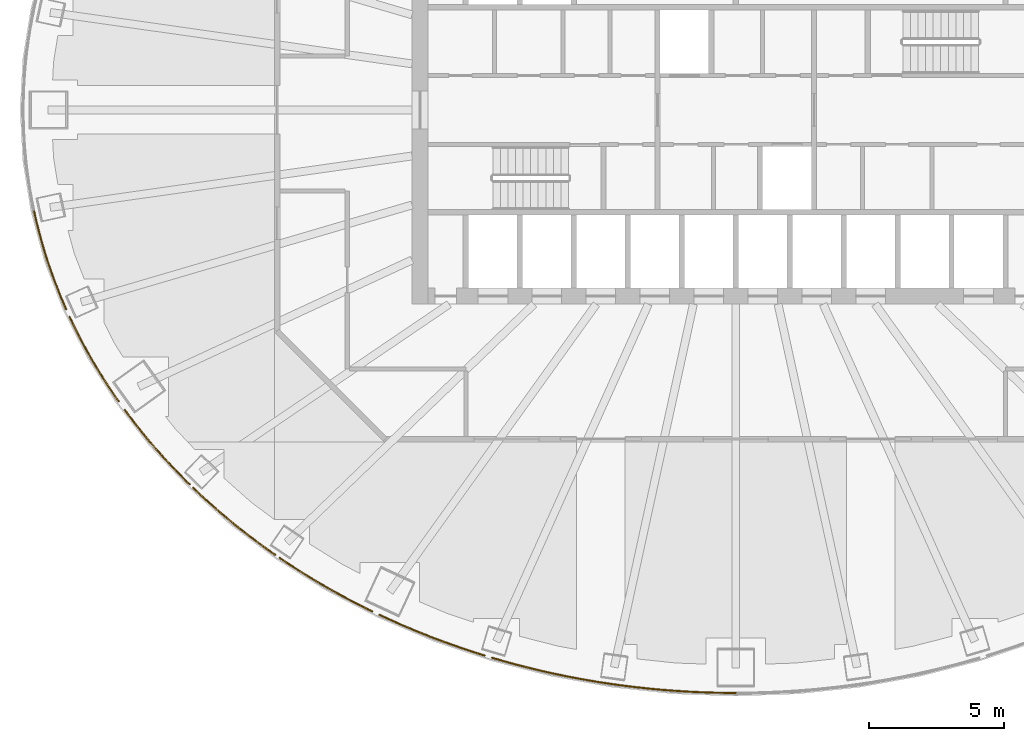
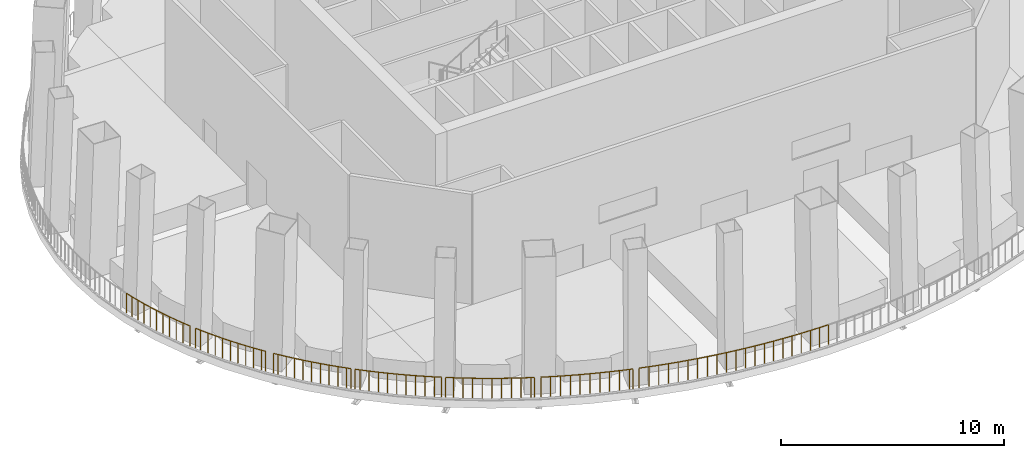
# One storey, part 8 of 13: 8 railings.
"""IFC4 building model written with IfcOpenShell, lengths in metres."""

import ifcopenshell
import ifcopenshell.guid

model = None  # the IFC model being written
_history = None  # IfcOwnerHistory: only IFC2X3 demands one
_inside = {}  # id of a spatial element -> (the spatial element, [elements in it])
_under = {}  # id of a project, library or spatial element -> (it, [spatial elements below it])
_declared = {}  # id of a project -> (the project, [libraries it declares])
_typed = {}  # id of a type object -> (the type object, [elements of that type])
_made_of = {}  # id of a material, layer set ... -> (it, [elements and type objects made of it])


def new_model(schema):
    """Start an empty IFC model of exactly this schema.

    Asked for "IFC4X3", IfcOpenShell would pick the latest addendum, in which some entities
    have other attributes; the version numbers below select the first issue.
    IFC2X3 requires an IfcOwnerHistory on every rooted entity: one is made here for all.
    """
    global model, _history
    if schema == "IFC4X3":
        model = ifcopenshell.file(schema_version=(4, 3, 0, 0))
    else:
        model = ifcopenshell.file(schema=schema)
    _inside.clear()
    _under.clear()
    _declared.clear()
    _typed.clear()
    _made_of.clear()
    _history = None
    if model.schema == "IFC2X3":
        org = make("IfcOrganization", Name="unknown")
        user = make(
            "IfcPersonAndOrganization",
            ThePerson=make("IfcPerson", FamilyName="unknown"),
            TheOrganization=org,
        )
        app = make(
            "IfcApplication",
            ApplicationDeveloper=org,
            Version="unknown",
            ApplicationFullName="unknown",
            ApplicationIdentifier="unknown",
        )
        _history = make(
            "IfcOwnerHistory",
            OwningUser=user,
            OwningApplication=app,
            ChangeAction="ADDED",
            CreationDate=0,
        )
    return model


def make(cls, **values):
    """One entity of the class cls with the attributes given. An attribute that is None is left unset."""
    return model.create_entity(
        cls, **{name: value for name, value in values.items() if value is not None}
    )


def rooted(cls, **values):
    """An entity with a GlobalId (a new one), such as an element, a storey or a relation."""
    return make(cls, GlobalId=ifcopenshell.guid.new(), OwnerHistory=_history, **values)


def si_unit(unit_type, name, prefix=None):
    """IfcSIUnit, for example si_unit("LENGTHUNIT", "METRE", prefix="MILLI")."""
    return make("IfcSIUnit", UnitType=unit_type, Prefix=prefix, Name=name)


def assignment(units):
    """IfcUnitAssignment: the units of a project."""
    return None if units is None else make("IfcUnitAssignment", Units=units)


def point(xyz):
    """IfcCartesianPoint."""
    return None if xyz is None else make("IfcCartesianPoint", Coordinates=xyz)


def direction(xyz):
    """IfcDirection."""
    return None if xyz is None else make("IfcDirection", DirectionRatios=xyz)


def frame(location, z_axis=None, x_axis=None):
    """IfcAxis2Placement3D, a coordinate frame: its origin and axes. An axis left out is left unset."""
    return make(
        "IfcAxis2Placement3D",
        Location=point(location),
        Axis=direction(z_axis),
        RefDirection=direction(x_axis),
    )


def frame_2d(location, x_axis=None):
    """IfcAxis2Placement2D, a coordinate frame in the plane: its origin and x axis."""
    return make(
        "IfcAxis2Placement2D", Location=point(location), RefDirection=direction(x_axis)
    )


def origin():
    """The frame at (0, 0, 0) with its axes left unset."""
    return frame((0.0, 0.0, 0.0))


def origin_2d():
    """The frame at (0, 0) in the plane with its x axis left unset."""
    return frame_2d((0.0, 0.0))


def place(relative_to, where):
    """IfcLocalPlacement: puts the frame where relative to a parent placement (None: the world)."""
    return make(
        "IfcLocalPlacement", PlacementRelTo=relative_to, RelativePlacement=where
    )


def context(
    kind, dimensions, precision=None, world=None, true_north=None, identifier=None
):
    """IfcGeometricRepresentationContext, for example the 3D "Model" context."""
    return make(
        "IfcGeometricRepresentationContext",
        ContextIdentifier=identifier,
        ContextType=kind,
        CoordinateSpaceDimension=dimensions,
        Precision=precision,
        WorldCoordinateSystem=world,
        TrueNorth=true_north,
    )


def subcontext(parent, identifier, kind, view, scale=None):
    """IfcGeometricRepresentationSubContext, for example "Body" below "Model"."""
    return make(
        "IfcGeometricRepresentationSubContext",
        ContextIdentifier=identifier,
        ContextType=kind,
        ParentContext=parent,
        TargetScale=scale,
        TargetView=view,
    )


def project(units=None, contexts=None):
    """IfcProject with its units and contexts."""
    return rooted(
        "IfcProject",
        Name="project",
        RepresentationContexts=contexts,
        UnitsInContext=assignment(units),
    )


def spatial(cls, under=None, at=None, **own):
    """A site, building, storey or space (cls), placed at a placement, below another one or the project."""
    s = rooted(cls, ObjectPlacement=at, **own)
    if under is not None:
        _under.setdefault(under.id(), (under, []))[1].append(s)
    return s


def profile(cls, at=None, kind="AREA", **sizes):
    """A parametric profile (cls). Its sizes go by their IFC names, for example OverallWidth=200.0."""
    return make(cls, ProfileType=kind, Position=at, **sizes)


def circle(**sizes):
    """IfcCircleProfileDef."""
    return profile("IfcCircleProfileDef", **sizes)


def extrude(swept, where, along, depth):
    """IfcExtrudedAreaSolid: the profile swept, set in the frame where, extruded along a direction by depth."""
    return make(
        "IfcExtrudedAreaSolid",
        SweptArea=swept,
        Position=where,
        ExtrudedDirection=direction(along),
        Depth=depth,
    )


def shape(context_of_items, identifier, shape_type, items):
    """IfcShapeRepresentation: the items that make up one representation, for example the "Body"."""
    return make(
        "IfcShapeRepresentation",
        ContextOfItems=context_of_items,
        RepresentationIdentifier=identifier,
        RepresentationType=shape_type,
        Items=items,
    )


def material(Name=None, Category=None):
    """IfcMaterial."""
    return make("IfcMaterial", Name=Name, Category=Category)


def made_of(thing, what):
    """Note that an element or type object is made of a material, layer set ...; save() writes the relation."""
    if what is not None:
        _made_of.setdefault(what.id(), (what, []))[1].append(thing)
    return thing


def type_object(cls, material=None, **own):
    """A type object (cls), such as IfcWallType, which elements share."""
    return made_of(rooted(cls, **own), material)


def element(
    cls,
    number,
    at=None,
    inside=None,
    cuts=None,
    type_object=None,
    material=None,
    context=None,
    identifier="Body",
    shape_type=None,
    held_by="IfcProductDefinitionShape",
    body=None,
    shapes=None,
    **own,
):
    """One element of the class cls, such as IfcWall. Its Tag is "e" and its number.

    at: its placement. inside: the storey or other place that contains it. cuts: it is an
    opening in that element (IfcRelVoidsElement). A single representation is given by context,
    identifier, shape_type and body (its items); several are given by shapes. held_by: the class
    of the entity that holds the representations. save() writes the other relations.
    """
    e = rooted(cls, Tag="e%d" % number, ObjectPlacement=at, **own)
    if body is not None:
        shapes = [shape(context, identifier, shape_type, body)]
    if shapes is not None:
        e.Representation = make(held_by, Representations=shapes)
    if inside is not None:
        _inside.setdefault(inside.id(), (inside, []))[1].append(e)
    if cuts is not None:
        rooted(
            "IfcRelVoidsElement", RelatingBuildingElement=cuts, RelatedOpeningElement=e
        )
    if type_object is not None:
        _typed.setdefault(type_object.id(), (type_object, []))[1].append(e)
    return made_of(e, material)


def aggregate(whole, parts):
    """IfcRelAggregates: a whole, such as a stair, and the parts it consists of."""
    return rooted("IfcRelAggregates", RelatingObject=whole, RelatedObjects=parts)


def save(model, path):
    """Write the relations noted so far, then the file.

    IfcRelAggregates (storeys below a building ...), IfcRelContainedInSpatialStructure (elements
    in a storey), IfcRelDefinesByType, IfcRelAssociatesMaterial and IfcRelDeclares: one each for
    every whole, place, type object, material and project.
    """
    for whole, parts in _under.values():
        aggregate(whole, parts)
    for where, things in _inside.values():
        rooted(
            "IfcRelContainedInSpatialStructure",
            RelatedElements=things,
            RelatingStructure=where,
        )
    for kind, things in _typed.values():
        rooted("IfcRelDefinesByType", RelatedObjects=things, RelatingType=kind)
    for what, things in _made_of.values():
        rooted("IfcRelAssociatesMaterial", RelatedObjects=things, RelatingMaterial=what)
    for by, libraries in _declared.values():
        rooted("IfcRelDeclares", RelatingContext=by, RelatedDefinitions=libraries)
    model.write(path)


model = new_model("IFC4")

# Units and contexts
model_context = context("Model", 3, precision=1e-05, world=origin(), true_north=direction((0.0, 1.0)))
body_context = subcontext(model_context, "Body", "Model", "MODEL_VIEW")
ifc_project = project(units=[si_unit("LENGTHUNIT", "METRE"), si_unit("AREAUNIT", "SQUARE_METRE"), si_unit("VOLUMEUNIT", "CUBIC_METRE"), si_unit("PLANEANGLEUNIT", "RADIAN"), si_unit("MASSUNIT", "GRAM", prefix="KILO")], contexts=[model_context])

# Site, building, storey
site_placement = place(None, origin())
site = spatial("IfcSite", under=ifc_project, at=site_placement, CompositionType="ELEMENT")
building_placement = place(site_placement, origin())
building = spatial("IfcBuilding", under=site, at=building_placement, Name="Siaravel Broadcast Tower", CompositionType="ELEMENT")
storey_placement = place(building_placement, frame((0.0, 0.0, 85.199951171875)))
storey = spatial("IfcBuildingStorey", under=building, at=storey_placement, Name="L20", CompositionType="ELEMENT", Elevation=85.199951171875)

# Railings
ifc_material = material(Name="Steel S355", Category="steel")
railing_type = type_object("IfcRailingType", Name="Guard 1100", PredefinedType="GUARDRAIL", material=ifc_material)
railing_1_placement = place(storey_placement, frame((-26.00830078125, -3.752685546875, 0.080078125)))
element("IfcRailing", 1, at=railing_1_placement, inside=storey, type_object=railing_type, Name="L20 sky garden guard 20", PredefinedType="GUARDRAIL", context=body_context, shape_type="SweptSolid", body=[
    extrude(circle(Radius=0.02392578125, at=origin_2d()), frame((0.0, 0.0, 1.076171875), z_axis=(0.220871747, -0.975302861, 0.0), x_axis=(0.975302861, 0.220871747, 0.0)), (0.0, 0.0, 1.0), 0.380126953125),
    extrude(circle(Radius=0.02392578125, at=origin_2d()), frame((0.083984375, -0.370849609375, 1.076171875), z_axis=(0.241630677, -0.970368289, 0.0), x_axis=(0.970368289, 0.241630677, 0.0)), (0.0, 0.0, 1.0), 0.380859375),
    extrude(circle(Radius=0.02392578125, at=origin_2d()), frame((0.176025390625, -0.740478515625, 1.076171875), z_axis=(0.261763284, -0.965132107, 0.0), x_axis=(0.965132107, 0.261763284, 0.0)), (0.0, 0.0, 1.0), 0.38134765625),
    extrude(circle(Radius=0.02392578125, at=origin_2d()), frame((0.27587890625, -1.108642578125, 1.076171875), z_axis=(0.281128409, -0.959670161, 0.0), x_axis=(0.959670161, 0.281128409, 0.0)), (0.0, 0.0, 1.0), 0.382080078125),
    extrude(circle(Radius=0.02392578125, at=origin_2d()), frame((0.38330078125, -1.475341796875, 1.076171875), z_axis=(0.301466882, -0.953476649, 0.0), x_axis=(0.953476649, 0.301466882, 0.0)), (0.0, 0.0, 1.0), 0.383056640625),
    extrude(circle(Radius=0.02392578125, at=origin_2d()), frame((0.498779296875, -1.840576171875, 1.076171875), z_axis=(0.321184309, -0.947016705, 0.0), x_axis=(0.947016705, 0.321184309, 0.0)), (0.0, 0.0, 1.0), 0.3837890625),
    extrude(circle(Radius=0.02392578125, at=origin_2d()), frame((0.6220703125, -2.2041015625, 1.076171875), z_axis=(0.340315265, -0.940311395, 0.0), x_axis=(0.940311395, 0.340315265, 0.0)), (0.0, 0.0, 1.0), 0.384521484375),
    extrude(circle(Radius=0.02392578125, at=origin_2d()), frame((0.7529296875, -2.565673828125, 1.076171875), z_axis=(0.359785419, -0.933035075, 0.0), x_axis=(0.933035075, 0.359785419, 0.0)), (0.0, 0.0, 1.0), 0.385498046875),
    extrude(circle(Radius=0.02392578125, at=origin_2d()), frame((0.8916015625, -2.92529296875, 1.076171875), z_axis=(0.377919108, -0.925838618, 0.0), x_axis=(0.925838618, 0.377919108, 0.0)), (0.0, 0.0, 1.0), 0.38623046875),
    extrude(circle(Radius=0.02392578125, at=origin_2d()), frame((1.03759765625, -3.282958984375, 1.076171875), z_axis=(0.397413005, -0.917639855, 0.0), x_axis=(0.917639855, 0.397413005, 0.0)), (0.0, 0.0, 1.0), 0.3876953125),
    extrude(circle(Radius=0.02099609375, at=origin_2d()), origin(), (0.0, 0.0, 1.0), 1.052001953125),
    extrude(circle(Radius=0.02099609375, at=origin_2d()), frame((0.083984375, -0.370849609375, 0.0)), (0.0, 0.0, 1.0), 1.052001953125),
    extrude(circle(Radius=0.02099609375, at=origin_2d()), frame((0.176025390625, -0.740478515625, 0.0)), (0.0, 0.0, 1.0), 1.052001953125),
    extrude(circle(Radius=0.02099609375, at=origin_2d()), frame((0.27587890625, -1.108642578125, 0.0)), (0.0, 0.0, 1.0), 1.052001953125),
    extrude(circle(Radius=0.02099609375, at=origin_2d()), frame((0.38330078125, -1.475341796875, 0.0)), (0.0, 0.0, 1.0), 1.052001953125),
    extrude(circle(Radius=0.02099609375, at=origin_2d()), frame((0.498779296875, -1.840576171875, 0.0)), (0.0, 0.0, 1.0), 1.052001953125),
    extrude(circle(Radius=0.02099609375, at=origin_2d()), frame((0.6220703125, -2.2041015625, 0.0)), (0.0, 0.0, 1.0), 1.052001953125),
    extrude(circle(Radius=0.02099609375, at=origin_2d()), frame((0.7529296875, -2.565673828125, 0.0)), (0.0, 0.0, 1.0), 1.052001953125),
    extrude(circle(Radius=0.02099609375, at=origin_2d()), frame((0.8916015625, -2.92529296875, 0.0)), (0.0, 0.0, 1.0), 1.052001953125),
    extrude(circle(Radius=0.02099609375, at=origin_2d()), frame((1.03759765625, -3.282958984375, 0.0)), (0.0, 0.0, 1.0), 1.052001953125),
    extrude(circle(Radius=0.02099609375, at=origin_2d()), frame((1.191650390625, -3.638671875, 0.0)), (0.0, 0.0, 1.0), 1.052001953125),
])
railing_2_placement = place(storey_placement, frame((-24.68896484375, -7.671875, 0.080078125)))
element("IfcRailing", 2, at=railing_2_placement, inside=storey, type_object=railing_type, Name="L20 sky garden guard 21", PredefinedType="GUARDRAIL", context=body_context, shape_type="SweptSolid", body=[
    extrude(circle(Radius=0.02392578125, at=origin_2d()), frame((0.0, 0.0, 1.076171875), z_axis=(0.42648154, -0.904496266, 0.0), x_axis=(0.904496266, 0.42648154, 0.0)), (0.0, 0.0, 1.0), 0.274658203125),
    extrude(circle(Radius=0.02392578125, at=origin_2d()), frame((0.1171875, -0.24853515625, 1.076171875), z_axis=(0.442699517, -0.896670027, 0.0), x_axis=(0.896670027, 0.442699517, 0.0)), (0.0, 0.0, 1.0), 0.389892578125),
    extrude(circle(Radius=0.02392578125, at=origin_2d()), frame((0.289794921875, -0.59814453125, 1.076171875), z_axis=(0.460645081, -0.887584424, 0.0), x_axis=(0.887584424, 0.460645081, 0.0)), (0.0, 0.0, 1.0), 0.39111328125),
    extrude(circle(Radius=0.02392578125, at=origin_2d()), frame((0.469970703125, -0.9453125, 1.076171875), z_axis=(0.47780564, -0.878465577, 0.0), x_axis=(0.878465577, 0.47780564, 0.0)), (0.0, 0.0, 1.0), 0.392333984375),
    extrude(circle(Radius=0.02392578125, at=origin_2d()), frame((0.657470703125, -1.2900390625, 1.076171875), z_axis=(0.495203044, -0.86877727, 0.0), x_axis=(0.86877727, 0.495203044, 0.0)), (0.0, 0.0, 1.0), 0.393310546875),
    extrude(circle(Radius=0.02392578125, at=origin_2d()), frame((0.852294921875, -1.6318359375, 1.076171875), z_axis=(0.51185377, -0.859072592, 0.0), x_axis=(0.859072592, 0.51185377, 0.0)), (0.0, 0.0, 1.0), 0.39453125),
    extrude(circle(Radius=0.02392578125, at=origin_2d()), frame((1.05419921875, -1.970703125, 1.076171875), z_axis=(0.528834979, -0.84872467, 0.0), x_axis=(0.84872467, 0.528834979, 0.0)), (0.0, 0.0, 1.0), 0.39599609375),
    extrude(circle(Radius=0.02392578125, at=origin_2d()), frame((1.263671875, -2.306884765625, 1.076171875), z_axis=(0.544728999, -0.838612138, 0.0), x_axis=(0.838612138, 0.544728999, 0.0)), (0.0, 0.0, 1.0), 0.39697265625),
    extrude(circle(Radius=0.02392578125, at=origin_2d()), frame((1.47998046875, -2.639892578125, 1.076171875), z_axis=(0.560766836, -0.827973765, 0.0), x_axis=(0.827973765, 0.560766836, 0.0)), (0.0, 0.0, 1.0), 0.3984375),
    extrude(circle(Radius=0.02392578125, at=origin_2d()), frame((1.703369140625, -2.9697265625, 1.076171875), z_axis=(0.57288834, -0.819633424, 0.0), x_axis=(0.819633424, 0.57288834, 0.0)), (0.0, 0.0, 1.0), 0.199951171875),
    extrude(circle(Radius=0.02099609375, at=origin_2d()), origin(), (0.0, 0.0, 1.0), 1.052001953125),
    extrude(circle(Radius=0.02099609375, at=origin_2d()), frame((0.1171875, -0.24853515625, 0.0)), (0.0, 0.0, 1.0), 1.052001953125),
    extrude(circle(Radius=0.02099609375, at=origin_2d()), frame((0.289794921875, -0.59814453125, 0.0)), (0.0, 0.0, 1.0), 1.052001953125),
    extrude(circle(Radius=0.02099609375, at=origin_2d()), frame((0.469970703125, -0.9453125, 0.0)), (0.0, 0.0, 1.0), 1.052001953125),
    extrude(circle(Radius=0.02099609375, at=origin_2d()), frame((0.657470703125, -1.2900390625, 0.0)), (0.0, 0.0, 1.0), 1.052001953125),
    extrude(circle(Radius=0.02099609375, at=origin_2d()), frame((0.852294921875, -1.6318359375, 0.0)), (0.0, 0.0, 1.0), 1.052001953125),
    extrude(circle(Radius=0.02099609375, at=origin_2d()), frame((1.05419921875, -1.970703125, 0.0)), (0.0, 0.0, 1.0), 1.052001953125),
    extrude(circle(Radius=0.02099609375, at=origin_2d()), frame((1.263671875, -2.306884765625, 0.0)), (0.0, 0.0, 1.0), 1.052001953125),
    extrude(circle(Radius=0.02099609375, at=origin_2d()), frame((1.47998046875, -2.639892578125, 0.0)), (0.0, 0.0, 1.0), 1.052001953125),
    extrude(circle(Radius=0.02099609375, at=origin_2d()), frame((1.703369140625, -2.9697265625, 0.0)), (0.0, 0.0, 1.0), 1.052001953125),
    extrude(circle(Radius=0.02099609375, at=origin_2d()), frame((1.81787109375, -3.133544921875, 0.0)), (0.0, 0.0, 1.0), 1.052001953125),
])
railing_3_placement = place(storey_placement, frame((-22.642333984375, -11.123291015625, 0.080078125)))
element("IfcRailing", 3, at=railing_3_placement, inside=storey, type_object=railing_type, Name="L20 sky garden guard 22", PredefinedType="GUARDRAIL", context=body_context, shape_type="SweptSolid", body=[
    extrude(circle(Radius=0.02392578125, at=origin_2d()), frame((0.0, 0.0, 1.076171875), z_axis=(0.59570139, -0.803205984, 0.0), x_axis=(0.803205984, 0.59570139, 0.0)), (0.0, 0.0, 1.0), 0.20947265625),
    extrude(circle(Radius=0.02392578125, at=origin_2d()), frame((0.124755859375, -0.168212890625, 1.076171875), z_axis=(0.606774222, -0.794874231, 0.0), x_axis=(0.794874231, 0.606774222, 0.0)), (0.0, 0.0, 1.0), 0.40234375),
    extrude(circle(Radius=0.02392578125, at=origin_2d()), frame((0.368896484375, -0.488037109375, 1.076171875), z_axis=(0.621445895, -0.783457082, 0.0), x_axis=(0.783457082, 0.621445895, 0.0)), (0.0, 0.0, 1.0), 0.40380859375),
    extrude(circle(Radius=0.02392578125, at=origin_2d()), frame((0.619873046875, -0.804443359375, 1.076171875), z_axis=(0.636087219, -0.771617166, 0.0), x_axis=(0.771617166, 0.636087219, 0.0)), (0.0, 0.0, 1.0), 0.4052734375),
    extrude(circle(Radius=0.02392578125, at=origin_2d()), frame((0.877685546875, -1.1171875, 1.076171875), z_axis=(0.650346182, -0.759637969, 0.0), x_axis=(0.759637969, 0.650346182, 0.0)), (0.0, 0.0, 1.0), 0.406494140625),
    extrude(circle(Radius=0.02392578125, at=origin_2d()), frame((1.14208984375, -1.426025390625, 1.076171875), z_axis=(0.663657809, -0.748036304, 0.0), x_axis=(0.748036304, 0.663657809, 0.0)), (0.0, 0.0, 1.0), 0.407958984375),
    extrude(circle(Radius=0.02392578125, at=origin_2d()), frame((1.412841796875, -1.731201171875, 1.076171875), z_axis=(0.677611504, -0.73542005, 0.0), x_axis=(0.73542005, 0.677611504, 0.0)), (0.0, 0.0, 1.0), 0.40966796875),
    extrude(circle(Radius=0.02392578125, at=origin_2d()), frame((1.6904296875, -2.032470703125, 1.076171875), z_axis=(0.690574683, -0.723261092, 0.0), x_axis=(0.723261092, 0.690574683, 0.0)), (0.0, 0.0, 1.0), 0.410888671875),
    extrude(circle(Radius=0.02392578125, at=origin_2d()), frame((1.97412109375, -2.32958984375, 1.076171875), z_axis=(0.703248572, -0.710944053, 0.0), x_axis=(0.710944053, 0.703248572, 0.0)), (0.0, 0.0, 1.0), 0.412353515625),
    extrude(circle(Radius=0.02392578125, at=origin_2d()), frame((2.26416015625, -2.622802734375, 1.076171875), z_axis=(0.712801322, -0.701366007, 0.0), x_axis=(0.701366007, 0.712801322, 0.0)), (0.0, 0.0, 1.0), 0.192138671875),
    extrude(circle(Radius=0.02099609375, at=origin_2d()), origin(), (0.0, 0.0, 1.0), 1.052001953125),
    extrude(circle(Radius=0.02099609375, at=origin_2d()), frame((0.124755859375, -0.168212890625, 0.0)), (0.0, 0.0, 1.0), 1.052001953125),
    extrude(circle(Radius=0.02099609375, at=origin_2d()), frame((0.368896484375, -0.488037109375, 0.0)), (0.0, 0.0, 1.0), 1.052001953125),
    extrude(circle(Radius=0.02099609375, at=origin_2d()), frame((0.619873046875, -0.804443359375, 0.0)), (0.0, 0.0, 1.0), 1.052001953125),
    extrude(circle(Radius=0.02099609375, at=origin_2d()), frame((0.877685546875, -1.1171875, 0.0)), (0.0, 0.0, 1.0), 1.052001953125),
    extrude(circle(Radius=0.02099609375, at=origin_2d()), frame((1.14208984375, -1.426025390625, 0.0)), (0.0, 0.0, 1.0), 1.052001953125),
    extrude(circle(Radius=0.02099609375, at=origin_2d()), frame((1.412841796875, -1.731201171875, 0.0)), (0.0, 0.0, 1.0), 1.052001953125),
    extrude(circle(Radius=0.02099609375, at=origin_2d()), frame((1.6904296875, -2.032470703125, 0.0)), (0.0, 0.0, 1.0), 1.052001953125),
    extrude(circle(Radius=0.02099609375, at=origin_2d()), frame((1.97412109375, -2.32958984375, 0.0)), (0.0, 0.0, 1.0), 1.052001953125),
    extrude(circle(Radius=0.02099609375, at=origin_2d()), frame((2.26416015625, -2.622802734375, 0.0)), (0.0, 0.0, 1.0), 1.052001953125),
    extrude(circle(Radius=0.02099609375, at=origin_2d()), frame((2.401123046875, -2.757568359375, 0.0)), (0.0, 0.0, 1.0), 1.052001953125),
])
railing_4_placement = place(storey_placement, frame((-20.107421875, -14.01025390625, 0.080078125)))
element("IfcRailing", 4, at=railing_4_placement, inside=storey, type_object=railing_type, Name="L20 sky garden guard 23", PredefinedType="GUARDRAIL", context=body_context, shape_type="SweptSolid", body=[
    extrude(circle(Radius=0.02392578125, at=origin_2d()), frame((0.0, 0.0, 1.076171875), z_axis=(0.724472386, -0.689303824, 0.0), x_axis=(0.689303824, 0.724472386, 0.0)), (0.0, 0.0, 1.0), 0.242919921875),
    extrude(circle(Radius=0.02392578125, at=origin_2d()), frame((0.176025390625, -0.16748046875, 1.076171875), z_axis=(0.734150631, -0.678986635, 0.0), x_axis=(0.678986635, 0.734150631, 0.0)), (0.0, 0.0, 1.0), 0.416015625),
    extrude(circle(Radius=0.02392578125, at=origin_2d()), frame((0.4814453125, -0.449951171875, 1.076171875), z_axis=(0.745761207, -0.666213345, 0.0), x_axis=(0.666213345, 0.745761207, 0.0)), (0.0, 0.0, 1.0), 0.41748046875),
    extrude(circle(Radius=0.02392578125, at=origin_2d()), frame((0.792724609375, -0.72802734375, 1.076171875), z_axis=(0.757320545, -0.653043331, 0.0), x_axis=(0.653043331, 0.757320545, 0.0)), (0.0, 0.0, 1.0), 0.419189453125),
    extrude(circle(Radius=0.02392578125, at=origin_2d()), frame((1.110107421875, -1.001708984375, 1.076171875), z_axis=(0.768364074, -0.640013008, 0.0), x_axis=(0.640013008, 0.768364074, 0.0)), (0.0, 0.0, 1.0), 0.42041015625),
    extrude(circle(Radius=0.02392578125, at=origin_2d()), frame((1.43310546875, -1.270751953125, 1.076171875), z_axis=(0.779342431, -0.626598257, 0.0), x_axis=(0.626598257, 0.779342431, 0.0)), (0.0, 0.0, 1.0), 0.421875),
    extrude(circle(Radius=0.02392578125, at=origin_2d()), frame((1.761962890625, -1.53515625, 1.076171875), z_axis=(0.789849026, -0.613301326, 0.0), x_axis=(0.613301326, 0.789849026, 0.0)), (0.0, 0.0, 1.0), 0.423095703125),
    extrude(circle(Radius=0.02392578125, at=origin_2d()), frame((2.09619140625, -1.794677734375, 1.076171875), z_axis=(0.8, -0.6, 0.0), x_axis=(0.6, 0.8, 0.0)), (0.0, 0.0, 1.0), 0.4248046875),
    extrude(circle(Radius=0.02392578125, at=origin_2d()), frame((2.43603515625, -2.049560546875, 1.076171875), z_axis=(0.809923356, -0.586535726, 0.0), x_axis=(0.586535726, 0.809923356, 0.0)), (0.0, 0.0, 1.0), 0.42626953125),
    extrude(circle(Radius=0.02392578125, at=origin_2d()), frame((2.78125, -2.299560546875, 1.076171875), z_axis=(0.818797848, -0.57408195, 0.0), x_axis=(0.57408195, 0.818797848, 0.0)), (0.0, 0.0, 1.0), 0.317138671875),
    extrude(circle(Radius=0.02099609375, at=origin_2d()), origin(), (0.0, 0.0, 1.0), 1.052001953125),
    extrude(circle(Radius=0.02099609375, at=origin_2d()), frame((0.176025390625, -0.16748046875, 0.0)), (0.0, 0.0, 1.0), 1.052001953125),
    extrude(circle(Radius=0.02099609375, at=origin_2d()), frame((0.4814453125, -0.449951171875, 0.0)), (0.0, 0.0, 1.0), 1.052001953125),
    extrude(circle(Radius=0.02099609375, at=origin_2d()), frame((0.792724609375, -0.72802734375, 0.0)), (0.0, 0.0, 1.0), 1.052001953125),
    extrude(circle(Radius=0.02099609375, at=origin_2d()), frame((1.110107421875, -1.001708984375, 0.0)), (0.0, 0.0, 1.0), 1.052001953125),
    extrude(circle(Radius=0.02099609375, at=origin_2d()), frame((1.43310546875, -1.270751953125, 0.0)), (0.0, 0.0, 1.0), 1.052001953125),
    extrude(circle(Radius=0.02099609375, at=origin_2d()), frame((1.761962890625, -1.53515625, 0.0)), (0.0, 0.0, 1.0), 1.052001953125),
    extrude(circle(Radius=0.02099609375, at=origin_2d()), frame((2.09619140625, -1.794677734375, 0.0)), (0.0, 0.0, 1.0), 1.052001953125),
    extrude(circle(Radius=0.02099609375, at=origin_2d()), frame((2.43603515625, -2.049560546875, 0.0)), (0.0, 0.0, 1.0), 1.052001953125),
    extrude(circle(Radius=0.02099609375, at=origin_2d()), frame((2.78125, -2.299560546875, 0.0)), (0.0, 0.0, 1.0), 1.052001953125),
    extrude(circle(Radius=0.02099609375, at=origin_2d()), frame((3.041015625, -2.481689453125, 0.0)), (0.0, 0.0, 1.0), 1.052001953125),
])
railing_5_placement = place(storey_placement, frame((-16.905517578125, -16.602294921875, 0.080078125)))
element("IfcRailing", 5, at=railing_5_placement, inside=storey, type_object=railing_type, Name="L20 sky garden guard 24", PredefinedType="GUARDRAIL", context=body_context, shape_type="SweptSolid", body=[
    extrude(circle(Radius=0.02392578125, at=origin_2d()), frame((0.0, 0.0, 1.076171875), z_axis=(0.829202106, -0.558948896, 0.0), x_axis=(0.558948896, 0.829202106, 0.0)), (0.0, 0.0, 1.0), 0.34423828125),
    extrude(circle(Radius=0.02392578125, at=origin_2d()), frame((0.285400390625, -0.1923828125, 1.076171875), z_axis=(0.83836585, -0.545107972, 0.0), x_axis=(0.545107972, 0.83836585, 0.0)), (0.0, 0.0, 1.0), 0.430419921875),
    extrude(circle(Radius=0.02392578125, at=origin_2d()), frame((0.646240234375, -0.427001953125, 1.076171875), z_axis=(0.846789328, -0.53192841, 0.0), x_axis=(0.53192841, 0.846789328, 0.0)), (0.0, 0.0, 1.0), 0.431884765625),
    extrude(circle(Radius=0.02392578125, at=origin_2d()), frame((1.011962890625, -0.65673828125, 1.076171875), z_axis=(0.855296265, -0.518139267, 0.0), x_axis=(0.518139267, 0.855296265, 0.0)), (0.0, 0.0, 1.0), 0.43310546875),
    extrude(circle(Radius=0.02392578125, at=origin_2d()), frame((1.38232421875, -0.881103515625, 1.076171875), z_axis=(0.86381964, -0.503801181, 0.0), x_axis=(0.503801181, 0.86381964, 0.0)), (0.0, 0.0, 1.0), 0.4345703125),
    extrude(circle(Radius=0.02392578125, at=origin_2d()), frame((1.7578125, -1.10009765625, 1.076171875), z_axis=(0.871635371, -0.490154852, 0.0), x_axis=(0.490154852, 0.871635371, 0.0)), (0.0, 0.0, 1.0), 0.435791015625),
    extrude(circle(Radius=0.02392578125, at=origin_2d()), frame((2.1376953125, -1.313720703125, 1.076171875), z_axis=(0.879194479, -0.476463082, 0.0), x_axis=(0.476463082, 0.879194479, 0.0)), (0.0, 0.0, 1.0), 0.43701171875),
    extrude(circle(Radius=0.02392578125, at=origin_2d()), frame((2.52197265625, -1.52197265625, 1.076171875), z_axis=(0.886723846, -0.462299493, 0.0), x_axis=(0.462299493, 0.886723846, 0.0)), (0.0, 0.0, 1.0), 0.438232421875),
    extrude(circle(Radius=0.02392578125, at=origin_2d()), frame((2.91064453125, -1.724609375, 1.076171875), z_axis=(0.893982535, -0.448101805, 0.0), x_axis=(0.448101805, 0.893982535, 0.0)), (0.0, 0.0, 1.0), 0.439697265625),
    extrude(circle(Radius=0.02392578125, at=origin_2d()), frame((3.3037109375, -1.921630859375, 1.076171875), z_axis=(0.898956864, -0.438037163, 0.0), x_axis=(0.438037163, 0.898956864, 0.0)), (0.0, 0.0, 1.0), 0.1494140625),
    extrude(circle(Radius=0.02099609375, at=origin_2d()), origin(), (0.0, 0.0, 1.0), 1.052001953125),
    extrude(circle(Radius=0.02099609375, at=origin_2d()), frame((0.285400390625, -0.1923828125, 0.0)), (0.0, 0.0, 1.0), 1.052001953125),
    extrude(circle(Radius=0.02099609375, at=origin_2d()), frame((0.646240234375, -0.427001953125, 0.0)), (0.0, 0.0, 1.0), 1.052001953125),
    extrude(circle(Radius=0.02099609375, at=origin_2d()), frame((1.011962890625, -0.65673828125, 0.0)), (0.0, 0.0, 1.0), 1.052001953125),
    extrude(circle(Radius=0.02099609375, at=origin_2d()), frame((1.38232421875, -0.881103515625, 0.0)), (0.0, 0.0, 1.0), 1.052001953125),
    extrude(circle(Radius=0.02099609375, at=origin_2d()), frame((1.7578125, -1.10009765625, 0.0)), (0.0, 0.0, 1.0), 1.052001953125),
    extrude(circle(Radius=0.02099609375, at=origin_2d()), frame((2.1376953125, -1.313720703125, 0.0)), (0.0, 0.0, 1.0), 1.052001953125),
    extrude(circle(Radius=0.02099609375, at=origin_2d()), frame((2.52197265625, -1.52197265625, 0.0)), (0.0, 0.0, 1.0), 1.052001953125),
    extrude(circle(Radius=0.02099609375, at=origin_2d()), frame((2.91064453125, -1.724609375, 0.0)), (0.0, 0.0, 1.0), 1.052001953125),
    extrude(circle(Radius=0.02099609375, at=origin_2d()), frame((3.3037109375, -1.921630859375, 0.0)), (0.0, 0.0, 1.0), 1.052001953125),
    extrude(circle(Radius=0.02099609375, at=origin_2d()), frame((3.43798828125, -1.987060546875, 0.0)), (0.0, 0.0, 1.0), 1.052001953125),
])
railing_6_placement = place(storey_placement, frame((-13.20458984375, -18.71533203125, 0.080078125)))
element("IfcRailing", 6, at=railing_6_placement, inside=storey, type_object=railing_type, Name="L20 sky garden guard 25", PredefinedType="GUARDRAIL", context=body_context, shape_type="SweptSolid", body=[
    extrude(circle(Radius=0.02392578125, at=origin_2d()), frame((0.0, 0.0, 1.076171875), z_axis=(0.907392809, -0.420283583, 0.0), x_axis=(0.420283583, 0.907392809, 0.0)), (0.0, 0.0, 1.0), 0.442138671875),
    extrude(circle(Radius=0.02392578125, at=origin_2d()), frame((0.401123046875, -0.185791015625, 1.076171875), z_axis=(0.913879684, -0.405985128, 0.0), x_axis=(0.405985128, 0.913879684, 0.0)), (0.0, 0.0, 1.0), 0.443115234375),
    extrude(circle(Radius=0.02392578125, at=origin_2d()), frame((0.80615234375, -0.36572265625, 1.076171875), z_axis=(0.920108309, -0.391664014, 0.0), x_axis=(0.391664014, 0.920108309, 0.0)), (0.0, 0.0, 1.0), 0.4443359375),
    extrude(circle(Radius=0.02392578125, at=origin_2d()), frame((1.215087890625, -0.539794921875, 1.076171875), z_axis=(0.925730192, -0.378184626, 0.0), x_axis=(0.378184626, 0.925730192, 0.0)), (0.0, 0.0, 1.0), 0.445556640625),
    extrude(circle(Radius=0.02392578125, at=origin_2d()), frame((1.62744140625, -0.708251953125, 1.076171875), z_axis=(0.931573104, -0.363554057, 0.0), x_axis=(0.363554057, 0.931573104, 0.0)), (0.0, 0.0, 1.0), 0.446533203125),
    extrude(circle(Radius=0.02392578125, at=origin_2d()), frame((2.04345703125, -0.87060546875, 1.076171875), z_axis=(0.937089112, -0.34909024, 0.0), x_axis=(0.34909024, 0.937089112, 0.0)), (0.0, 0.0, 1.0), 0.447509765625),
    extrude(circle(Radius=0.02392578125, at=origin_2d()), frame((2.462890625, -1.02685546875, 1.076171875), z_axis=(0.94212303, -0.335267352, 0.0), x_axis=(0.335267352, 0.94212303, 0.0)), (0.0, 0.0, 1.0), 0.448486328125),
    extrude(circle(Radius=0.02392578125, at=origin_2d()), frame((2.885498046875, -1.17724609375, 1.076171875), z_axis=(0.946987546, -0.321270273, 0.0), x_axis=(0.321270273, 0.946987546, 0.0)), (0.0, 0.0, 1.0), 0.449951171875),
    extrude(circle(Radius=0.02392578125, at=origin_2d()), frame((3.3115234375, -1.32177734375, 1.076171875), z_axis=(0.951780111, -0.306781061, 0.0), x_axis=(0.306781061, 0.951780111, 0.0)), (0.0, 0.0, 1.0), 0.450439453125),
    extrude(circle(Radius=0.02392578125, at=origin_2d()), frame((3.740234375, -1.4599609375, 1.076171875), z_axis=(0.955183215, -0.296015246, 0.0), x_axis=(0.296015246, 0.955183215, 0.0)), (0.0, 0.0, 1.0), 0.159912109375),
    extrude(circle(Radius=0.02099609375, at=origin_2d()), origin(), (0.0, 0.0, 1.0), 1.052001953125),
    extrude(circle(Radius=0.02099609375, at=origin_2d()), frame((0.401123046875, -0.185791015625, 0.0)), (0.0, 0.0, 1.0), 1.052001953125),
    extrude(circle(Radius=0.02099609375, at=origin_2d()), frame((0.80615234375, -0.36572265625, 0.0)), (0.0, 0.0, 1.0), 1.052001953125),
    extrude(circle(Radius=0.02099609375, at=origin_2d()), frame((1.215087890625, -0.539794921875, 0.0)), (0.0, 0.0, 1.0), 1.052001953125),
    extrude(circle(Radius=0.02099609375, at=origin_2d()), frame((1.62744140625, -0.708251953125, 0.0)), (0.0, 0.0, 1.0), 1.052001953125),
    extrude(circle(Radius=0.02099609375, at=origin_2d()), frame((2.04345703125, -0.87060546875, 0.0)), (0.0, 0.0, 1.0), 1.052001953125),
    extrude(circle(Radius=0.02099609375, at=origin_2d()), frame((2.462890625, -1.02685546875, 0.0)), (0.0, 0.0, 1.0), 1.052001953125),
    extrude(circle(Radius=0.02099609375, at=origin_2d()), frame((2.885498046875, -1.17724609375, 0.0)), (0.0, 0.0, 1.0), 1.052001953125),
    extrude(circle(Radius=0.02099609375, at=origin_2d()), frame((3.3115234375, -1.32177734375, 0.0)), (0.0, 0.0, 1.0), 1.052001953125),
    extrude(circle(Radius=0.02099609375, at=origin_2d()), frame((3.740234375, -1.4599609375, 0.0)), (0.0, 0.0, 1.0), 1.052001953125),
    extrude(circle(Radius=0.02099609375, at=origin_2d()), frame((3.89306640625, -1.50732421875, 0.0)), (0.0, 0.0, 1.0), 1.052001953125),
])
railing_7_placement = place(storey_placement, frame((-9.032470703125, -20.307373046875, 0.080078125)))
element("IfcRailing", 7, at=railing_7_placement, inside=storey, type_object=railing_type, Name="L20 sky garden guard 26", PredefinedType="GUARDRAIL", context=body_context, shape_type="SweptSolid", body=[
    extrude(circle(Radius=0.02392578125, at=origin_2d()), frame((0.0, 0.0, 1.076171875), z_axis=(0.960560469, -0.278071187, 0.0), x_axis=(0.278071187, 0.960560469, 0.0)), (0.0, 0.0, 1.0), 0.4521484375),
    extrude(circle(Radius=0.02392578125, at=origin_2d()), frame((0.434326171875, -0.125732421875, 1.076171875), z_axis=(0.964415038, -0.264392956, 0.0), x_axis=(0.264392956, 0.964415038, 0.0)), (0.0, 0.0, 1.0), 0.453369140625),
    extrude(circle(Radius=0.02392578125, at=origin_2d()), frame((0.87158203125, -0.24560546875, 1.076171875), z_axis=(0.968344469, -0.249617685, 0.0), x_axis=(0.249617685, 0.968344469, 0.0)), (0.0, 0.0, 1.0), 0.453857421875),
    extrude(circle(Radius=0.02392578125, at=origin_2d()), frame((1.31103515625, -0.35888671875, 1.076171875), z_axis=(0.971853829, -0.235584666, 0.0), x_axis=(0.235584666, 0.971853829, 0.0)), (0.0, 0.0, 1.0), 0.454833984375),
    extrude(circle(Radius=0.02392578125, at=origin_2d()), frame((1.753173828125, -0.466064453125, 1.076171875), z_axis=(0.97518023, -0.221412554, 0.0), x_axis=(0.221412554, 0.97518023, 0.0)), (0.0, 0.0, 1.0), 0.455322265625),
    extrude(circle(Radius=0.02392578125, at=origin_2d()), frame((2.197265625, -0.56689453125, 1.076171875), z_axis=(0.978316348, -0.207116207, 0.0), x_axis=(0.207116207, 0.978316348, 0.0)), (0.0, 0.0, 1.0), 0.456298828125),
    extrude(circle(Radius=0.02392578125, at=origin_2d()), frame((2.6435546875, -0.661376953125, 1.076171875), z_axis=(0.981293946, -0.192515433, 0.0), x_axis=(0.192515433, 0.981293946, 0.0)), (0.0, 0.0, 1.0), 0.45654296875),
    extrude(circle(Radius=0.02392578125, at=origin_2d()), frame((3.091552734375, -0.749267578125, 1.076171875), z_axis=(0.983895511, -0.178744575, 0.0), x_axis=(0.178744575, 0.983895511, 0.0)), (0.0, 0.0, 1.0), 0.45751953125),
    extrude(circle(Radius=0.02392578125, at=origin_2d()), frame((3.541748046875, -0.8310546875, 1.076171875), z_axis=(0.986408338, -0.164312476, 0.0), x_axis=(0.164312476, 0.986408338, 0.0)), (0.0, 0.0, 1.0), 0.45751953125),
    extrude(circle(Radius=0.02392578125, at=origin_2d()), frame((3.9931640625, -0.90625, 1.076171875), z_axis=(0.988744163, -0.149616107, 0.0), x_axis=(0.149616107, 0.988744163, 0.0)), (0.0, 0.0, 1.0), 0.45849609375),
    extrude(circle(Radius=0.02099609375, at=origin_2d()), origin(), (0.0, 0.0, 1.0), 1.052001953125),
    extrude(circle(Radius=0.02099609375, at=origin_2d()), frame((0.434326171875, -0.125732421875, 0.0)), (0.0, 0.0, 1.0), 1.052001953125),
    extrude(circle(Radius=0.02099609375, at=origin_2d()), frame((0.87158203125, -0.24560546875, 0.0)), (0.0, 0.0, 1.0), 1.052001953125),
    extrude(circle(Radius=0.02099609375, at=origin_2d()), frame((1.31103515625, -0.35888671875, 0.0)), (0.0, 0.0, 1.0), 1.052001953125),
    extrude(circle(Radius=0.02099609375, at=origin_2d()), frame((1.753173828125, -0.466064453125, 0.0)), (0.0, 0.0, 1.0), 1.052001953125),
    extrude(circle(Radius=0.02099609375, at=origin_2d()), frame((2.197265625, -0.56689453125, 0.0)), (0.0, 0.0, 1.0), 1.052001953125),
    extrude(circle(Radius=0.02099609375, at=origin_2d()), frame((2.6435546875, -0.661376953125, 0.0)), (0.0, 0.0, 1.0), 1.052001953125),
    extrude(circle(Radius=0.02099609375, at=origin_2d()), frame((3.091552734375, -0.749267578125, 0.0)), (0.0, 0.0, 1.0), 1.052001953125),
    extrude(circle(Radius=0.02099609375, at=origin_2d()), frame((3.541748046875, -0.8310546875, 0.0)), (0.0, 0.0, 1.0), 1.052001953125),
    extrude(circle(Radius=0.02099609375, at=origin_2d()), frame((3.9931640625, -0.90625, 0.0)), (0.0, 0.0, 1.0), 1.052001953125),
    extrude(circle(Radius=0.02099609375, at=origin_2d()), frame((4.446533203125, -0.974853515625, 0.0)), (0.0, 0.0, 1.0), 1.052001953125),
])
railing_8_placement = place(storey_placement, frame((-4.5859375, -21.2822265625, 0.080078125)))
element("IfcRailing", 8, at=railing_8_placement, inside=storey, type_object=railing_type, Name="L20 sky garden guard 27", PredefinedType="GUARDRAIL", context=body_context, shape_type="SweptSolid", body=[
    extrude(circle(Radius=0.02392578125, at=origin_2d()), frame((0.0, 0.0, 1.076171875), z_axis=(0.990752295, -0.135683048, 0.0), x_axis=(0.135683048, 0.990752295, 0.0)), (0.0, 0.0, 1.0), 0.458740234375),
    extrude(circle(Radius=0.02392578125, at=origin_2d()), frame((0.45458984375, -0.062255859375, 1.076171875), z_axis=(0.992561499, -0.121744287, 0.0), x_axis=(0.121744287, 0.992561499, 0.0)), (0.0, 0.0, 1.0), 0.459228515625),
    extrude(circle(Radius=0.02392578125, at=origin_2d()), frame((0.910400390625, -0.1181640625, 1.076171875), z_axis=(0.994285016, -0.106758167, 0.0), x_axis=(0.106758167, 0.994285016, 0.0)), (0.0, 0.0, 1.0), 0.459716796875),
    extrude(circle(Radius=0.02392578125, at=origin_2d()), frame((1.367431640625, -0.167236328125, 1.076171875), z_axis=(0.995677278, -0.092880343, 0.0), x_axis=(0.092880343, 0.995677278, 0.0)), (0.0, 0.0, 1.0), 0.4599609375),
    extrude(circle(Radius=0.02392578125, at=origin_2d()), frame((1.825439453125, -0.2099609375, 1.076171875), z_axis=(0.996912373, -0.078522103, 0.0), x_axis=(0.078522103, 0.996912373, 0.0)), (0.0, 0.0, 1.0), 0.460205078125),
    extrude(circle(Radius=0.02392578125, at=origin_2d()), frame((2.2841796875, -0.24609375, 1.076171875), z_axis=(0.997905481, -0.064688878, 0.0), x_axis=(0.064688878, 0.997905481, 0.0)), (0.0, 0.0, 1.0), 0.46044921875),
    extrude(circle(Radius=0.02392578125, at=origin_2d()), frame((2.74365234375, -0.27587890625, 1.076171875), z_axis=(0.998758937, -0.049805485, 0.0), x_axis=(0.049805485, 0.998758937, 0.0)), (0.0, 0.0, 1.0), 0.460693359375),
    extrude(circle(Radius=0.02392578125, at=origin_2d()), frame((3.203857421875, -0.298828125, 1.076171875), z_axis=(0.999369587, -0.035502525, 0.0), x_axis=(0.035502525, 0.999369587, 0.0)), (0.0, 0.0, 1.0), 0.460693359375),
    extrude(circle(Radius=0.02392578125, at=origin_2d()), frame((3.664306640625, -0.315185546875, 1.076171875), z_axis=(0.999764039, -0.021722483, 0.0), x_axis=(0.021722483, 0.999764039, 0.0)), (0.0, 0.0, 1.0), 0.460693359375),
    extrude(circle(Radius=0.02392578125, at=origin_2d()), frame((4.125, -0.3251953125, 1.076171875), z_axis=(0.999976295, -0.00688543, 0.0), x_axis=(0.00688543, 0.999976295, 0.0)), (0.0, 0.0, 1.0), 0.4609375),
    extrude(circle(Radius=0.02099609375, at=origin_2d()), origin(), (0.0, 0.0, 1.0), 1.052001953125),
    extrude(circle(Radius=0.02099609375, at=origin_2d()), frame((0.45458984375, -0.062255859375, 0.0)), (0.0, 0.0, 1.0), 1.052001953125),
    extrude(circle(Radius=0.02099609375, at=origin_2d()), frame((0.910400390625, -0.1181640625, 0.0)), (0.0, 0.0, 1.0), 1.052001953125),
    extrude(circle(Radius=0.02099609375, at=origin_2d()), frame((1.367431640625, -0.167236328125, 0.0)), (0.0, 0.0, 1.0), 1.052001953125),
    extrude(circle(Radius=0.02099609375, at=origin_2d()), frame((1.825439453125, -0.2099609375, 0.0)), (0.0, 0.0, 1.0), 1.052001953125),
    extrude(circle(Radius=0.02099609375, at=origin_2d()), frame((2.2841796875, -0.24609375, 0.0)), (0.0, 0.0, 1.0), 1.052001953125),
    extrude(circle(Radius=0.02099609375, at=origin_2d()), frame((2.74365234375, -0.27587890625, 0.0)), (0.0, 0.0, 1.0), 1.052001953125),
    extrude(circle(Radius=0.02099609375, at=origin_2d()), frame((3.203857421875, -0.298828125, 0.0)), (0.0, 0.0, 1.0), 1.052001953125),
    extrude(circle(Radius=0.02099609375, at=origin_2d()), frame((3.664306640625, -0.315185546875, 0.0)), (0.0, 0.0, 1.0), 1.052001953125),
    extrude(circle(Radius=0.02099609375, at=origin_2d()), frame((4.125, -0.3251953125, 0.0)), (0.0, 0.0, 1.0), 1.052001953125),
    extrude(circle(Radius=0.02099609375, at=origin_2d()), frame((4.5859375, -0.328369140625, 0.0)), (0.0, 0.0, 1.0), 1.052001953125),
])

save(model, "model.ifc")
